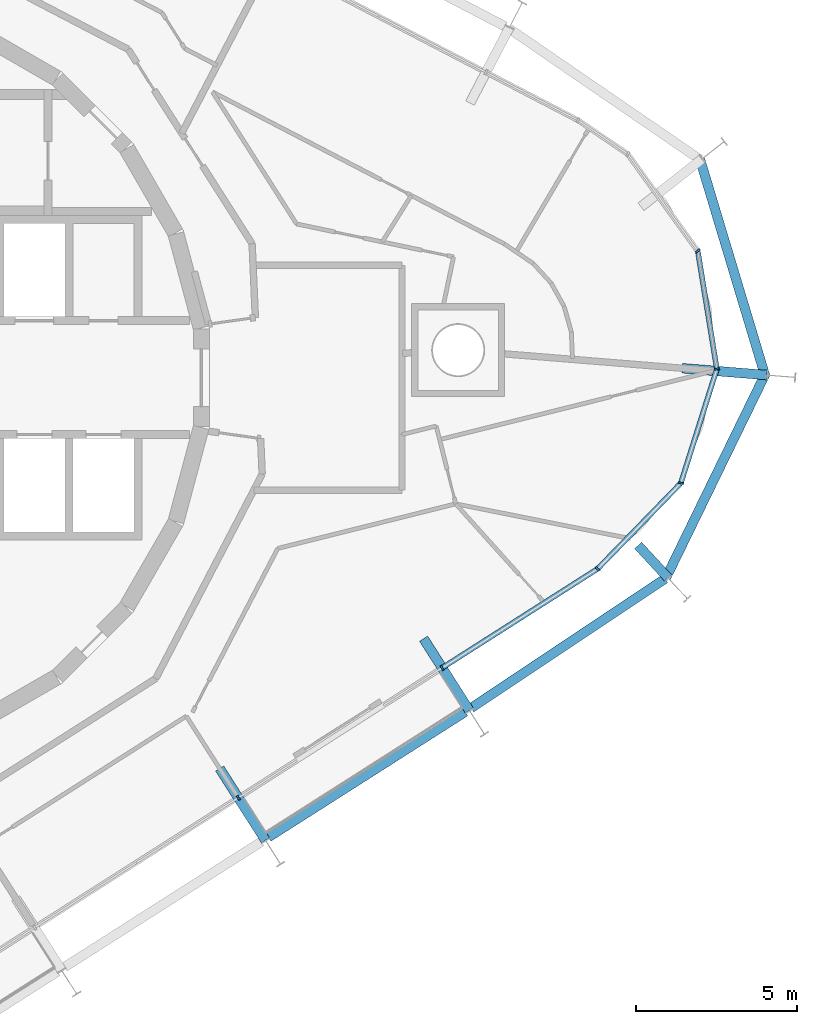
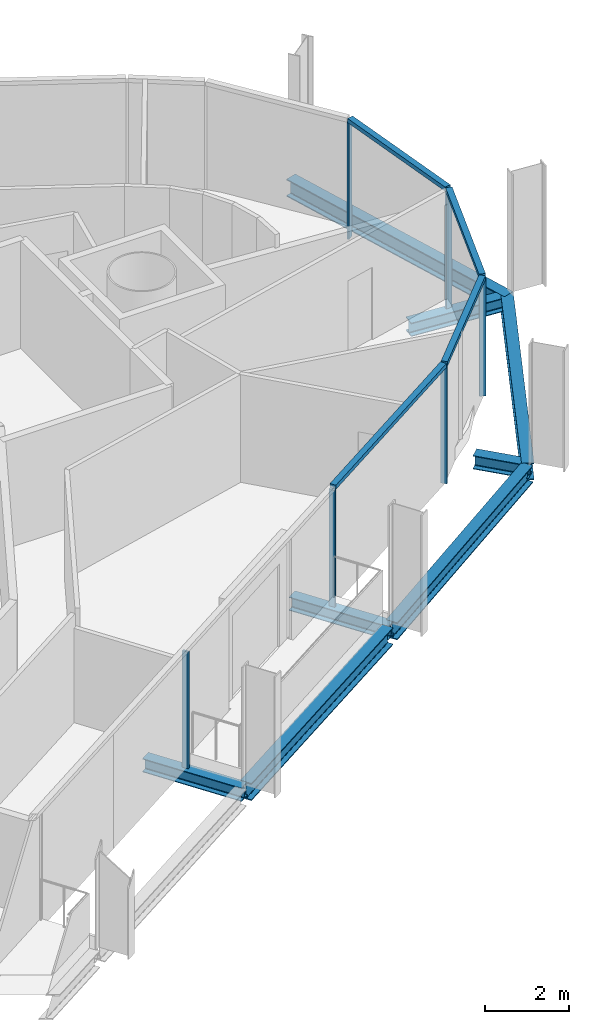
# One storey, part 5 of 18: 10 members, 8 beams, 2 elements without a shape of their own.
"""IFC4 building model written with IfcOpenShell, lengths in metres."""

from ifc_helpers import new_model, si_unit, direction, frame, origin, origin_2d, place, context, subcontext, project, spatial, rectangle, i_section, extrude, material, layer, layer_set, material_profile, profile_set, type_object, element, aggregate, save


model = new_model("IFC4")

# Units and contexts
model_context = context("Model", 3, precision=1e-05, world=origin(), true_north=direction((0.0, 1.0)))
body_context = subcontext(model_context, "Body", "Model", "MODEL_VIEW")
ifc_project = project(units=[si_unit("LENGTHUNIT", "METRE"), si_unit("AREAUNIT", "SQUARE_METRE"), si_unit("VOLUMEUNIT", "CUBIC_METRE"), si_unit("PLANEANGLEUNIT", "RADIAN"), si_unit("MASSUNIT", "GRAM", prefix="KILO")], contexts=[model_context])

# Site, building, storey
site_placement = place(None, origin())
site = spatial("IfcSite", under=ifc_project, at=site_placement, CompositionType="ELEMENT")
building_placement = place(site_placement, origin())
building = spatial("IfcBuilding", under=site, at=building_placement, Name="Spindle Arch Residences", CompositionType="ELEMENT")
storey_placement = place(building_placement, frame((0.0, 0.0, 233.699951171875)))
storey = spatial("IfcBuildingStorey", under=building, at=storey_placement, Name="L59", CompositionType="ELEMENT", Elevation=233.699951171875)

# Curtain wall, members
ifc_material_1 = material(Name="Aluminium bronze unitised frame with tinted glass", Category="aluminium")
ifc_layer_1 = layer(ifc_material_1, 0.159912109375)
ifc_layer_set_1 = layer_set([ifc_layer_1], Name="CW-D corner wall on the fillet arcs")
curtain_wall_type_1 = type_object("IfcCurtainWallType", Name="CW-D corner wall on the fillet arcs", PredefinedType="NOTDEFINED", material=ifc_layer_set_1)
curtain_wall_1_placement = place(storey_placement, origin())
curtain_wall_1 = element("IfcCurtainWall", 1, at=curtain_wall_1_placement, inside=storey, type_object=curtain_wall_type_1, Name="CW-D L59 run 1", PredefinedType="NOTDEFINED")
ifc_material_2 = material(Name="Aluminium bronze anodised mullion", Category="aluminium")
ifc_material_profile_1 = material_profile(ifc_material_2, rectangle(XDim=0.159912109375, YDim=0.06005859375, at=origin_2d()), Name="MU 60x160")
ifc_profile_set_1 = profile_set([ifc_material_profile_1], Name="Aluminium bronze anodised mullion")
member_type_1 = type_object("IfcMemberType", Name="Bronze mullion 60x160", PredefinedType="MULLION", material=ifc_profile_set_1)
member_1_placement = place(storey_placement, frame((19.151611328125, -9.0400390625, -0.3798828125), z_axis=(0.0, 0.0, 1.0), x_axis=(-0.537299608347, 0.843391445813, 0.0)))
member_1 = element("IfcMember", 2, at=member_1_placement, type_object=member_type_1, Name="CW-D mullion 00", PredefinedType="MULLION", context=body_context, shape_type="SweptSolid", body=[
    extrude(rectangle(XDim=0.159912109375, YDim=0.06005859375, at=origin_2d()), origin(), (0.0, 0.0, 1.0), 3.3798828125),
])
member_2_placement = place(storey_placement, frame((23.991455078125, -5.956787109375, -0.3798828125), z_axis=(0.0, 0.0, 1.0), x_axis=(-0.71731607908, 0.696747904692, 0.0)))
member_2 = element("IfcMember", 3, at=member_2_placement, type_object=member_type_1, Name="CW-D mullion 01", PredefinedType="MULLION", context=body_context, shape_type="SweptSolid", body=[
    extrude(rectangle(XDim=0.159912109375, YDim=0.06005859375, at=origin_2d()), origin(), (0.0, 0.0, 1.0), 3.3798828125),
])
member_3_placement = place(storey_placement, frame((26.587890625, -3.283447265625, -0.3798828125), z_axis=(0.0, 0.0, 1.0), x_axis=(-0.953716949352, 0.300705803932, 0.0)))
member_3 = element("IfcMember", 4, at=member_3_placement, type_object=member_type_1, Name="CW-D mullion 02", PredefinedType="MULLION", context=body_context, shape_type="SweptSolid", body=[
    extrude(rectangle(XDim=0.159912109375, YDim=0.06005859375, at=origin_2d()), origin(), (0.0, 0.0, 1.0), 3.3798828125),
])
member_4_placement = place(storey_placement, frame((27.708740234375, 0.270751953125, -0.3798828125), z_axis=(0.0, 0.0, 1.0), x_axis=(-0.987229114298, -0.15930686075, 0.0)))
member_4 = element("IfcMember", 5, at=member_4_placement, type_object=member_type_1, Name="CW-D mullion 03", PredefinedType="MULLION", context=body_context, shape_type="SweptSolid", body=[
    extrude(rectangle(XDim=0.159912109375, YDim=0.06005859375, at=origin_2d()), origin(), (0.0, 0.0, 1.0), 3.3798828125),
])
member_5_placement = place(storey_placement, frame((27.114990234375, 3.949951171875, -0.3798828125), z_axis=(0.0, 0.0, 1.0), x_axis=(-0.810723368962, -0.585429431289, 0.0)))
member_5 = element("IfcMember", 6, at=member_5_placement, type_object=member_type_1, Name="CW-D mullion 04", PredefinedType="MULLION", context=body_context, shape_type="SweptSolid", body=[
    extrude(rectangle(XDim=0.159912109375, YDim=0.06005859375, at=origin_2d()), origin(), (0.0, 0.0, 1.0), 3.3798828125),
])

# Curtain wall, member
ifc_material_3 = material(Name="Aluminium bronze unitised frame with tinted glass", Category="aluminium")
ifc_layer_2 = layer(ifc_material_3, 0.159912109375)
ifc_layer_set_2 = layer_set([ifc_layer_2], Name="CW-C typical residential unitised wall")
curtain_wall_type_2 = type_object("IfcCurtainWallType", Name="CW-C typical residential unitised wall", PredefinedType="NOTDEFINED", material=ifc_layer_set_2)
curtain_wall_2_placement = place(storey_placement, origin())
curtain_wall_2 = element("IfcCurtainWall", 7, at=curtain_wall_2_placement, inside=storey, type_object=curtain_wall_type_2, Name="CW-C L59 run 6", PredefinedType="NOTDEFINED")
member_6_placement = place(storey_placement, frame((12.80078125, -13.0859375, -0.3798828125), z_axis=(0.0, 0.0, 1.0), x_axis=(-0.537299608347, 0.843391445813, 0.0)))
member_6 = element("IfcMember", 8, at=member_6_placement, type_object=member_type_1, Name="CW-C mullion 00", PredefinedType="MULLION", context=body_context, shape_type="SweptSolid", body=[
    extrude(rectangle(XDim=0.159912109375, YDim=0.06005859375, at=origin_2d()), origin(), (0.0, 0.0, 1.0), 3.3798828125),
])
aggregate(curtain_wall_2, [member_6])

# Member
ifc_material_4 = material(Name="Aluminium bronze anodised transom", Category="aluminium")
ifc_material_profile_2 = material_profile(ifc_material_4, rectangle(XDim=0.159912109375, YDim=0.1201171875, at=origin_2d()), Name="TR 120x160")
ifc_profile_set_2 = profile_set([ifc_material_profile_2], Name="Aluminium bronze anodised transom")
member_type_2 = type_object("IfcMemberType", Name="Bronze transom 120x160", PredefinedType="USERDEFINED", material=ifc_profile_set_2)
member_7_placement = place(storey_placement, frame((19.177001953125, -9.02392578125, 3.06005859375), z_axis=(0.843386969226, 0.537306635115, 0.0), x_axis=(-0.537306635115, 0.843386969226, 0.0)))
member_7 = element("IfcMember", 9, at=member_7_placement, type_object=member_type_2, Name="CW-D transom 00", ObjectType="TRANSOM", PredefinedType="USERDEFINED", context=body_context, shape_type="SweptSolid", body=[
    extrude(rectangle(XDim=0.159912109375, YDim=0.1201171875, at=origin_2d()), origin(), (0.0, 0.0, 1.0), 5.678466796875),
])

member_8_placement = place(storey_placement, frame((24.01220703125, -5.93505859375, 3.06005859375), z_axis=(0.696778833098, 0.717286036213, 0.0), x_axis=(-0.717286036213, 0.696778833098, 0.0)))
member_8 = element("IfcMember", 10, at=member_8_placement, type_object=member_type_2, Name="CW-D transom 01", ObjectType="TRANSOM", PredefinedType="USERDEFINED", context=body_context, shape_type="SweptSolid", body=[
    extrude(rectangle(XDim=0.159912109375, YDim=0.1201171875, at=origin_2d()), origin(), (0.0, 0.0, 1.0), 3.666748046875),
])

member_9_placement = place(storey_placement, frame((26.596923828125, -3.2548828125, 3.06005859375), z_axis=(0.300745778047, 0.953704344641, 0.0), x_axis=(-0.953704344641, 0.300745778047, 0.0)))
member_9 = element("IfcMember", 11, at=member_9_placement, type_object=member_type_2, Name="CW-D transom 02", ObjectType="TRANSOM", PredefinedType="USERDEFINED", context=body_context, shape_type="SweptSolid", body=[
    extrude(rectangle(XDim=0.159912109375, YDim=0.1201171875, at=origin_2d()), origin(), (0.0, 0.0, 1.0), 3.666748046875),
])

member_10_placement = place(storey_placement, frame((27.703857421875, 0.300537109375, 3.06005859375), z_axis=(-0.15933292013, 0.987224908804, 0.0), x_axis=(-0.987224908804, -0.15933292013, 0.0)))
member_10 = element("IfcMember", 12, at=member_10_placement, type_object=member_type_2, Name="CW-D transom 03", ObjectType="TRANSOM", PredefinedType="USERDEFINED", context=body_context, shape_type="SweptSolid", body=[
    extrude(rectangle(XDim=0.159912109375, YDim=0.1201171875, at=origin_2d()), origin(), (0.0, 0.0, 1.0), 3.666748046875),
])

aggregate(curtain_wall_1, [member_1, member_7, member_2, member_8, member_3, member_9, member_4, member_10, member_5])

# Beams
ifc_material_5 = material(Name="Steel S460ML, intumescent coating R 120", Category="steel")
ifc_material_profile_3 = material_profile(ifc_material_5, i_section(OverallWidth=0.300048828125, OverallDepth=0.5, WebThickness=0.014404296875, FlangeThickness=0.028076171875, FilletRadius=0.027099609375, at=origin_2d()), Name="HEB 500")
ifc_profile_set_3 = profile_set([ifc_material_profile_3], Name="Steel S460ML, intumescent coating R 120")
beam_type_1 = type_object("IfcBeamType", Name="Exoskeleton edge beam HEB 500", PredefinedType="BEAM", material=ifc_profile_set_3)
beam_1_placement = place(storey_placement, frame((13.73779296875, -14.314697265625, -0.6298828125), z_axis=(0.843406961456, 0.53727525289, 0.0), x_axis=(-0.53727525289, 0.843406961456, 0.0)))
element("IfcBeam", 13, at=beam_1_placement, inside=storey, type_object=beam_type_1, Name="Exoskeleton edge beam 1", PredefinedType="BEAM", context=body_context, shape_type="SweptSolid", body=[
    extrude(i_section(OverallWidth=0.300048828125, OverallDepth=0.5, WebThickness=0.014404296875, FlangeThickness=0.028076171875, FilletRadius=0.027099609375, at=origin_2d()), origin(), (0.0, 0.0, 1.0), 7.27001953125),
])
beam_2_placement = place(storey_placement, frame((20.05224609375, -10.291015625, -0.6298828125), z_axis=(0.83190027786, 0.554925155041, 0.0), x_axis=(-0.554925155041, 0.83190027786, 0.0)))
element("IfcBeam", 14, at=beam_2_placement, inside=storey, type_object=beam_type_1, Name="Exoskeleton edge beam 2", PredefinedType="BEAM", context=body_context, shape_type="SweptSolid", body=[
    extrude(i_section(OverallWidth=0.300048828125, OverallDepth=0.5, WebThickness=0.014404296875, FlangeThickness=0.028076171875, FilletRadius=0.027099609375, at=origin_2d()), origin(), (0.0, 0.0, 1.0), 7.26220703125),
])
for number, where, z_axis, x_axis, name in (
    (15, (26.1201171875, -6.241943359375, -0.6298828125), (0.43802573961, 0.898962430494, 0.0), (-0.898962430494, 0.43802573961, 0.0), "Exoskeleton edge beam 3"),
    (16, (29.22021484375, 0.03076171875, -0.6298828125), (-0.288038985398, 0.957618683449, 0.0), (-0.957618683449, -0.288038985398, 0.0), "Exoskeleton edge beam 4"),
):
    element("IfcBeam", number, at=place(storey_placement, frame(where, z_axis=z_axis, x_axis=x_axis)), inside=storey, type_object=beam_type_1, Name=name, PredefinedType="BEAM", context=body_context, shape_type="SweptSolid", body=[
        extrude(i_section(OverallWidth=0.300048828125, OverallDepth=0.5, WebThickness=0.014404296875, FlangeThickness=0.028076171875, FilletRadius=0.027099609375, at=origin_2d()), origin(), (0.0, 0.0, 1.0), 7.096923828125),
    ])
ifc_material_6 = material(Name="Steel S460ML, intumescent coating R 120", Category="steel")
ifc_material_profile_4 = material_profile(ifc_material_6, i_section(OverallWidth=0.300048828125, OverallDepth=0.389892578125, WebThickness=0.010986328125, FlangeThickness=0.01904296875, FilletRadius=0.027099609375, at=origin_2d()), Name="HEA 400")
ifc_profile_set_4 = profile_set([ifc_material_profile_4], Name="Steel S460ML, intumescent coating R 120")
beam_type_2 = type_object("IfcBeamType", Name="Floor outrigger HEA 400", PredefinedType="BEAM", material=ifc_profile_set_4)
for number, where, z_axis, x_axis, name in (
    (17, (13.644287109375, -14.409912109375, -0.574951171875), (-0.537316570745, 0.843380639334, 0.0), (-0.843380639334, -0.537316570745, 0.0), "Floor outrigger 1"),
    (18, (19.9951171875, -10.364013671875, -0.574951171875), (-0.537316570745, 0.843380639334, 0.0), (-0.843380639334, -0.537316570745, 0.0), "Floor outrigger 2"),
):
    element("IfcBeam", number, at=place(storey_placement, frame(where, z_axis=z_axis, x_axis=x_axis)), inside=storey, type_object=beam_type_2, Name=name, PredefinedType="BEAM", context=body_context, shape_type="SweptSolid", body=[
        extrude(i_section(OverallWidth=0.300048828125, OverallDepth=0.389892578125, WebThickness=0.010986328125, FlangeThickness=0.01904296875, FilletRadius=0.027099609375, at=origin_2d()), origin(), (0.0, 0.0, 1.0), 2.64990234375),
    ])
beam_3_placement = place(storey_placement, frame((26.189697265625, -6.23828125, -0.574951171875), z_axis=(-0.677647212058, 0.735387147011, 0.0), x_axis=(-0.735387147011, -0.677647212058, 0.0)))
element("IfcBeam", 19, at=beam_3_placement, inside=storey, type_object=beam_type_2, Name="Floor outrigger 3", PredefinedType="BEAM", context=body_context, shape_type="SweptSolid", body=[
    extrude(i_section(OverallWidth=0.300048828125, OverallDepth=0.389892578125, WebThickness=0.010986328125, FlangeThickness=0.01904296875, FilletRadius=0.027099609375, at=origin_2d()), origin(), (0.0, 0.0, 1.0), 1.37841796875),
])
beam_4_placement = place(storey_placement, frame((29.268798828125, 0.080810546875, -0.574951171875), z_axis=(-0.996753470089, 0.080514097307, 0.0), x_axis=(-0.080514097307, -0.996753470089, 0.0)))
element("IfcBeam", 20, at=beam_4_placement, inside=storey, type_object=beam_type_2, Name="Floor outrigger 4", PredefinedType="BEAM", context=body_context, shape_type="SweptSolid", body=[
    extrude(i_section(OverallWidth=0.300048828125, OverallDepth=0.389892578125, WebThickness=0.010986328125, FlangeThickness=0.01904296875, FilletRadius=0.027099609375, at=origin_2d()), origin(), (0.0, 0.0, 1.0), 2.650146484375),
])

save(model, "model.ifc")
